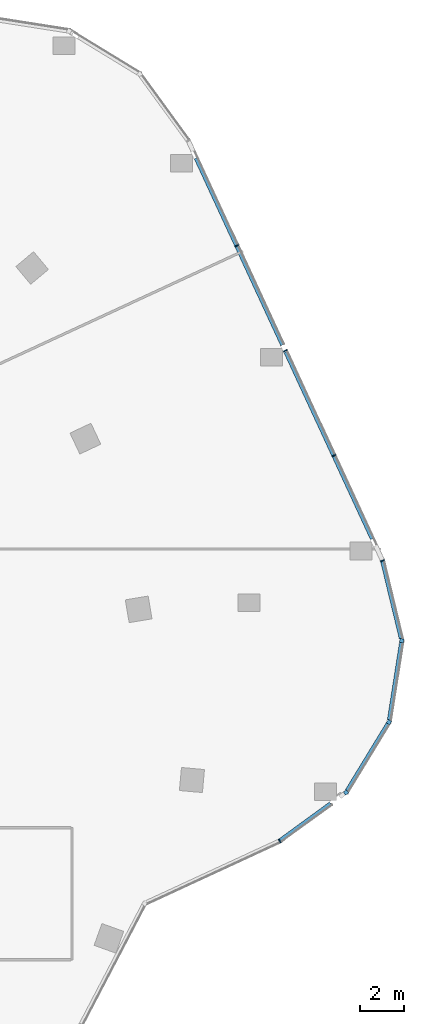
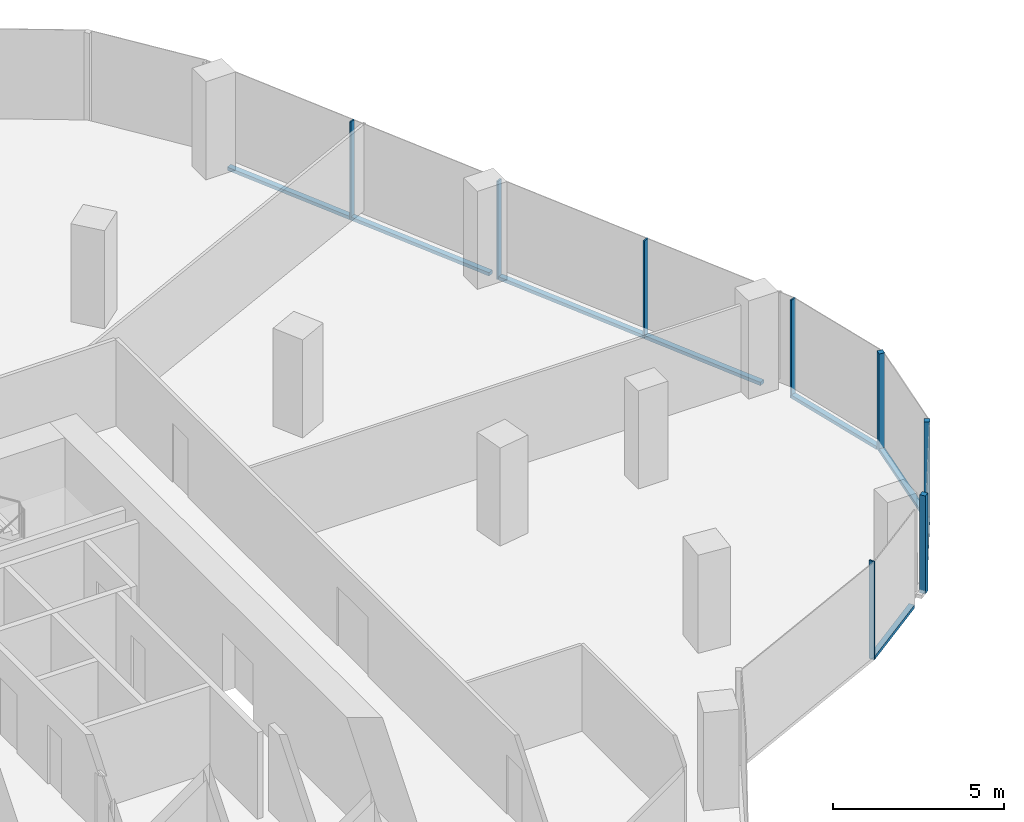
# One storey, part 9 of 23: 14 members, 6 elements without a shape of their own.
"""IFC4 building model written with IfcOpenShell, lengths in metres."""

from ifc_helpers import new_model, si_unit, direction, frame, origin, origin_2d, place, context, subcontext, project, spatial, rectangle, extrude, material, material_profile, profile_set, type_object, element, aggregate, save


model = new_model("IFC4")

# Units and contexts
model_context = context("Model", 3, precision=1e-05, world=origin(), true_north=direction((0.0, 1.0)))
body_context = subcontext(model_context, "Body", "Model", "MODEL_VIEW")
ifc_project = project(units=[si_unit("LENGTHUNIT", "METRE"), si_unit("AREAUNIT", "SQUARE_METRE"), si_unit("VOLUMEUNIT", "CUBIC_METRE"), si_unit("PLANEANGLEUNIT", "RADIAN"), si_unit("MASSUNIT", "GRAM", prefix="KILO")], contexts=[model_context])

# Site, building, storey
site_placement = place(None, origin())
site = spatial("IfcSite", under=ifc_project, at=site_placement, CompositionType="ELEMENT")
building_placement = place(site_placement, origin())
building = spatial("IfcBuilding", under=site, at=building_placement, Name="Orlundy Tower", CompositionType="ELEMENT")
storey_placement = place(building_placement, frame((0.0, 0.0, 257.0)))
storey = spatial("IfcBuildingStorey", under=building, at=storey_placement, Name="L68", CompositionType="ELEMENT", Elevation=257.0)

# Curtain wall, member
ifc_material_1 = material(Name="Aluminium bronze anodised", Category="aluminium")
curtain_wall_type = type_object("IfcCurtainWallType", Name="CW1 wall", PredefinedType="NOTDEFINED", material=ifc_material_1)
curtain_wall_1_placement = place(storey_placement, origin())
curtain_wall_1 = element("IfcCurtainWall", 1, at=curtain_wall_1_placement, inside=storey, type_object=curtain_wall_type, Name="CW1 run 17", PredefinedType="NOTDEFINED")
ifc_material_2 = material(Name="Aluminium bronze anodised", Category="aluminium")
ifc_material_profile_1 = material_profile(ifc_material_2, rectangle(XDim=0.179931640625, YDim=0.179931640625, at=origin_2d()), Name="CW1 corner post 180x180")
ifc_profile_set_1 = profile_set([ifc_material_profile_1], Name="Aluminium bronze anodised")
member_type_1 = type_object("IfcMemberType", Name="CW1 corner post 180x180", PredefinedType="MULLION", material=ifc_profile_set_1)
member_1_placement = place(storey_placement, frame((41.2197265625, 3.460693359375, -0.39990234375), z_axis=(0.0, 0.0, 1.0), x_axis=(0.987896030416, -0.15511748157, 0.0)))
member_1 = element("IfcMember", 2, at=member_1_placement, type_object=member_type_1, Name="CW1 mullion 12", PredefinedType="MULLION", context=body_context, shape_type="SweptSolid", body=[
    extrude(rectangle(XDim=0.179931640625, YDim=0.179931640625, at=origin_2d()), origin(), (0.0, 0.0, 1.0), 3.5),
])

curtain_wall_2_placement = place(storey_placement, origin())
curtain_wall_2 = element("IfcCurtainWall", 3, at=curtain_wall_2_placement, inside=storey, type_object=curtain_wall_type, Name="CW1 run 18", PredefinedType="NOTDEFINED")
member_2_placement = place(storey_placement, frame((40.63916015625, -0.236572265625, -0.39990234375), z_axis=(0.0, 0.0, 1.0), x_axis=(0.85339519248, -0.521264467859, 0.0)))
member_2 = element("IfcMember", 4, at=member_2_placement, type_object=member_type_1, Name="CW1 mullion 13", PredefinedType="MULLION", context=body_context, shape_type="SweptSolid", body=[
    extrude(rectangle(XDim=0.179931640625, YDim=0.179931640625, at=origin_2d()), origin(), (0.0, 0.0, 1.0), 3.5),
])

curtain_wall_3_placement = place(storey_placement, origin())
curtain_wall_3 = element("IfcCurtainWall", 5, at=curtain_wall_3_placement, inside=storey, type_object=curtain_wall_type, Name="CW1 run 19", PredefinedType="NOTDEFINED")
member_3_placement = place(storey_placement, frame((38.6884765625, -3.43017578125, -0.39990234375), z_axis=(0.0, 0.0, 1.0), x_axis=(0.58902167687, -0.808117234179, 0.0)))
member_3 = element("IfcMember", 6, at=member_3_placement, type_object=member_type_1, Name="CW1 mullion 14", PredefinedType="MULLION", context=body_context, shape_type="SweptSolid", body=[
    extrude(rectangle(XDim=0.179931640625, YDim=0.179931640625, at=origin_2d()), origin(), (0.0, 0.0, 1.0), 3.5),
])

# Curtain wall, members
curtain_wall_4_placement = place(storey_placement, origin())
curtain_wall_4 = element("IfcCurtainWall", 7, at=curtain_wall_4_placement, inside=storey, type_object=curtain_wall_type, Name="CW1 run 15", PredefinedType="NOTDEFINED")
ifc_material_3 = material(Name="Aluminium bronze anodised", Category="aluminium")
ifc_material_profile_2 = material_profile(ifc_material_3, rectangle(XDim=0.179931640625, YDim=0.050048828125, at=origin_2d()), Name="CW1 mullion 50x180")
ifc_profile_set_2 = profile_set([ifc_material_profile_2], Name="Aluminium bronze anodised")
member_type_2 = type_object("IfcMemberType", Name="CW1 mullion 50x180", PredefinedType="MULLION", material=ifc_profile_set_2)
member_4_placement = place(storey_placement, frame((33.724365234375, 21.391357421875, -0.39990234375), z_axis=(0.0, 0.0, 1.0), x_axis=(0.907542202358, 0.419960892154, 0.0)))
member_4 = element("IfcMember", 8, at=member_4_placement, type_object=member_type_2, Name="CW1 mullion 8", PredefinedType="MULLION", context=body_context, shape_type="SweptSolid", body=[
    extrude(rectangle(XDim=0.179931640625, YDim=0.050048828125, at=origin_2d()), origin(), (0.0, 0.0, 1.0), 3.5),
])
member_5_placement = place(storey_placement, frame((35.92919921875, 16.626708984375, -0.39990234375), z_axis=(0.0, 0.0, 1.0), x_axis=(0.907542202358, 0.419960892154, 0.0)))
member_5 = element("IfcMember", 9, at=member_5_placement, type_object=member_type_2, Name="CW1 mullion 9", PredefinedType="MULLION", context=body_context, shape_type="SweptSolid", body=[
    extrude(rectangle(XDim=0.179931640625, YDim=0.050048828125, at=origin_2d()), origin(), (0.0, 0.0, 1.0), 3.5),
])
member_6_placement = place(storey_placement, frame((38.134033203125, 11.8623046875, -0.39990234375), z_axis=(0.0, 0.0, 1.0), x_axis=(0.907542202358, 0.419960892154, 0.0)))
member_6 = element("IfcMember", 10, at=member_6_placement, type_object=member_type_2, Name="CW1 mullion 10", PredefinedType="MULLION", context=body_context, shape_type="SweptSolid", body=[
    extrude(rectangle(XDim=0.179931640625, YDim=0.050048828125, at=origin_2d()), origin(), (0.0, 0.0, 1.0), 3.5),
])

# Curtain wall, member
curtain_wall_5_placement = place(storey_placement, origin())
curtain_wall_5 = element("IfcCurtainWall", 11, at=curtain_wall_5_placement, inside=storey, type_object=curtain_wall_type, Name="CW1 run 16", PredefinedType="NOTDEFINED")
member_7_placement = place(storey_placement, frame((40.34228515625, 7.08984375, -0.39990234375), z_axis=(0.0, 0.0, 1.0), x_axis=(0.944312521745, 0.329049937357, 0.0)))
member_7 = element("IfcMember", 12, at=member_7_placement, type_object=member_type_2, Name="CW1 mullion 11", PredefinedType="MULLION", context=body_context, shape_type="SweptSolid", body=[
    extrude(rectangle(XDim=0.179931640625, YDim=0.050048828125, at=origin_2d()), origin(), (0.0, 0.0, 1.0), 3.5),
])

curtain_wall_6_placement = place(storey_placement, origin())
curtain_wall_6 = element("IfcCurtainWall", 13, at=curtain_wall_6_placement, inside=storey, type_object=curtain_wall_type, Name="CW1 run 110", PredefinedType="NOTDEFINED")
member_8_placement = place(storey_placement, frame((35.671875, -5.62890625, -0.39990234375), z_axis=(0.0, 0.0, 1.0), x_axis=(0.506927615096, -0.861988626986, 0.0)))
member_8 = element("IfcMember", 14, at=member_8_placement, type_object=member_type_2, Name="CW1 mullion 15", PredefinedType="MULLION", context=body_context, shape_type="SweptSolid", body=[
    extrude(rectangle(XDim=0.179931640625, YDim=0.050048828125, at=origin_2d()), origin(), (0.0, 0.0, 1.0), 3.5),
])
aggregate(curtain_wall_6, [member_8])

# Member
ifc_material_4 = material(Name="Aluminium bronze anodised", Category="aluminium")
ifc_material_profile_3 = material_profile(ifc_material_4, rectangle(XDim=0.179931640625, YDim=0.1201171875, at=origin_2d()), Name="CW1 transom 180x120")
ifc_profile_set_3 = profile_set([ifc_material_profile_3], Name="Aluminium bronze anodised")
member_type_3 = type_object("IfcMemberType", Name="CW1 transom 180x120", PredefinedType="USERDEFINED", material=ifc_profile_set_3)
member_9_placement = place(storey_placement, frame((31.87890625, 25.37939453125, -0.340087890625), z_axis=(0.419969586538, -0.907538179022, 0.0), x_axis=(0.907538179022, 0.419969586538, 0.0)))
member_9 = element("IfcMember", 15, at=member_9_placement, type_object=member_type_3, Name="CW1 transom", ObjectType="TRANSOM", PredefinedType="USERDEFINED", context=body_context, shape_type="SweptSolid", body=[
    extrude(rectangle(XDim=0.179931640625, YDim=0.1201171875, at=origin_2d()), origin(), (0.0, 0.0, 1.0), 9.357666015625),
])

member_10_placement = place(storey_placement, frame((35.952880859375, 16.575439453125, -0.340087890625), z_axis=(0.419966384997, -0.907539660551, 0.0), x_axis=(0.907539660551, 0.419966384997, 0.0)))
member_10 = element("IfcMember", 16, at=member_10_placement, type_object=member_type_3, Name="CW1 transom", ObjectType="TRANSOM", PredefinedType="USERDEFINED", context=body_context, shape_type="SweptSolid", body=[
    extrude(rectangle(XDim=0.179931640625, YDim=0.1201171875, at=origin_2d()), origin(), (0.0, 0.0, 1.0), 9.3564453125),
])

aggregate(curtain_wall_4, [member_4, member_5, member_6, member_9, member_10])

member_11_placement = place(storey_placement, frame((40.348388671875, 7.0654296875, -0.340087890625), z_axis=(0.23494012712, -0.972009843916, 0.0), x_axis=(0.972009843916, 0.23494012712, 0.0)))
member_11 = element("IfcMember", 17, at=member_11_placement, type_object=member_type_3, Name="CW1 transom", ObjectType="TRANSOM", PredefinedType="USERDEFINED", context=body_context, shape_type="SweptSolid", body=[
    extrude(rectangle(XDim=0.179931640625, YDim=0.1201171875, at=origin_2d()), origin(), (0.0, 0.0, 1.0), 3.611083984375),
])

aggregate(curtain_wall_5, [member_7, member_11])

member_12_placement = place(storey_placement, frame((41.205810546875, 3.371826171875, -0.340087890625), z_axis=(-0.155126778463, -0.987894570591, 0.0), x_axis=(0.987894570591, -0.155126778463, 0.0)))
member_12 = element("IfcMember", 18, at=member_12_placement, type_object=member_type_3, Name="CW1 transom", ObjectType="TRANSOM", PredefinedType="USERDEFINED", context=body_context, shape_type="SweptSolid", body=[
    extrude(rectangle(XDim=0.179931640625, YDim=0.1201171875, at=origin_2d()), origin(), (0.0, 0.0, 1.0), 3.55517578125),
])

aggregate(curtain_wall_1, [member_1, member_12])

member_13_placement = place(storey_placement, frame((40.59228515625, -0.3134765625, -0.340087890625), z_axis=(-0.521266650084, -0.853393859545, 0.0), x_axis=(0.853393859545, -0.521266650084, 0.0)))
member_13 = element("IfcMember", 19, at=member_13_placement, type_object=member_type_3, Name="CW1 transom", ObjectType="TRANSOM", PredefinedType="USERDEFINED", context=body_context, shape_type="SweptSolid", body=[
    extrude(rectangle(XDim=0.179931640625, YDim=0.1201171875, at=origin_2d()), origin(), (0.0, 0.0, 1.0), 3.554931640625),
])

aggregate(curtain_wall_2, [member_2, member_13])

member_14_placement = place(storey_placement, frame((37.989013671875, -3.93994140625, -0.340087890625), z_axis=(-0.808089302915, -0.589059995683, 0.0), x_axis=(0.589059995683, -0.808089302915, 0.0)))
member_14 = element("IfcMember", 20, at=member_14_placement, type_object=member_type_3, Name="CW1 transom", ObjectType="TRANSOM", PredefinedType="USERDEFINED", context=body_context, shape_type="SweptSolid", body=[
    extrude(rectangle(XDim=0.179931640625, YDim=0.1201171875, at=origin_2d()), origin(), (0.0, 0.0, 1.0), 2.84228515625),
])

aggregate(curtain_wall_3, [member_3, member_14])

save(model, "model.ifc")
